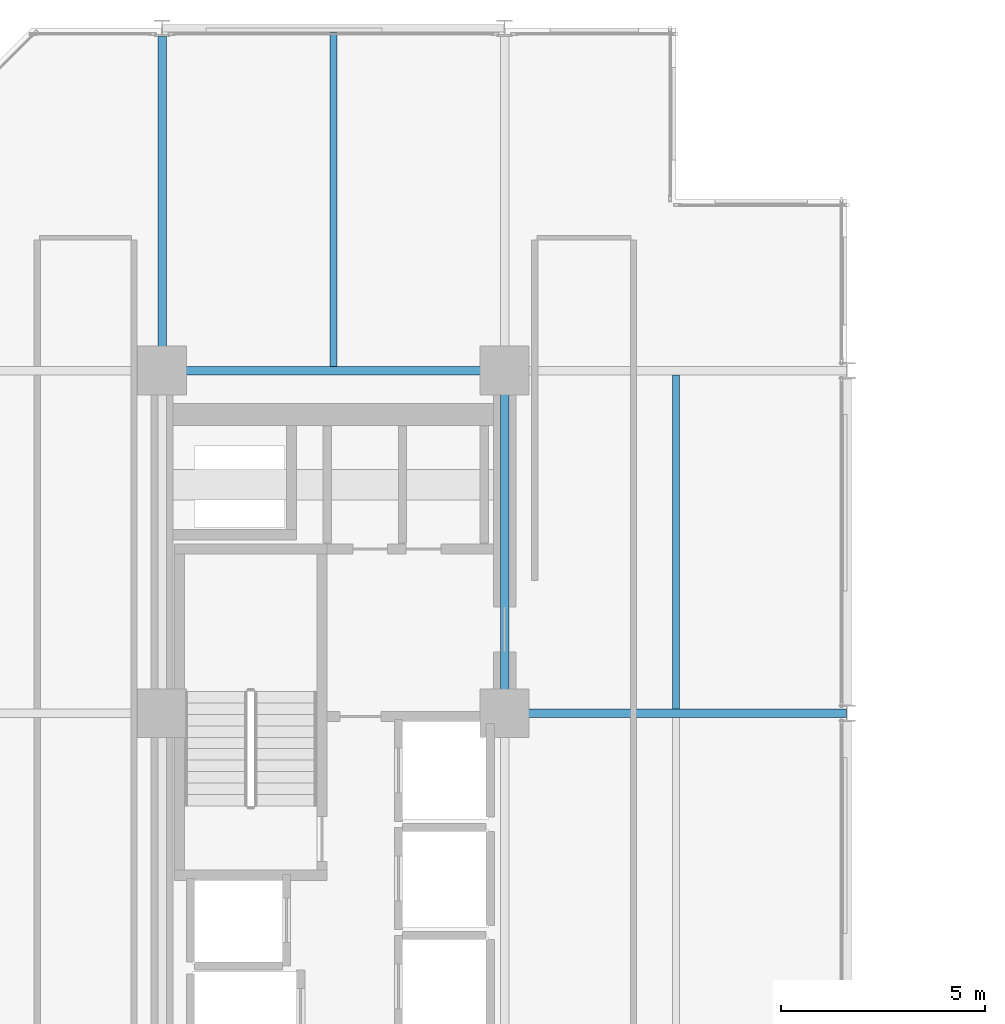
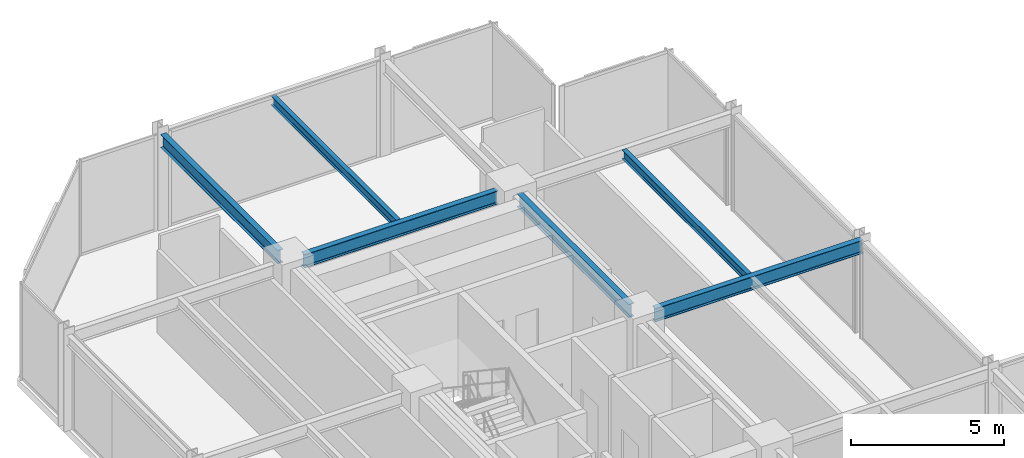
# One storey, part 26 of 38: 6 beams.
"""IFC4 building model written with IfcOpenShell, lengths in metres."""

import ifcopenshell
import ifcopenshell.guid

model = None  # the IFC model being written
_history = None  # IfcOwnerHistory: only IFC2X3 demands one
_inside = {}  # id of a spatial element -> (the spatial element, [elements in it])
_under = {}  # id of a project, library or spatial element -> (it, [spatial elements below it])
_declared = {}  # id of a project -> (the project, [libraries it declares])
_typed = {}  # id of a type object -> (the type object, [elements of that type])
_made_of = {}  # id of a material, layer set ... -> (it, [elements and type objects made of it])


def new_model(schema):
    """Start an empty IFC model of exactly this schema.

    Asked for "IFC4X3", IfcOpenShell would pick the latest addendum, in which some entities
    have other attributes; the version numbers below select the first issue.
    IFC2X3 requires an IfcOwnerHistory on every rooted entity: one is made here for all.
    """
    global model, _history
    if schema == "IFC4X3":
        model = ifcopenshell.file(schema_version=(4, 3, 0, 0))
    else:
        model = ifcopenshell.file(schema=schema)
    _inside.clear()
    _under.clear()
    _declared.clear()
    _typed.clear()
    _made_of.clear()
    _history = None
    if model.schema == "IFC2X3":
        org = make("IfcOrganization", Name="unknown")
        user = make(
            "IfcPersonAndOrganization",
            ThePerson=make("IfcPerson", FamilyName="unknown"),
            TheOrganization=org,
        )
        app = make(
            "IfcApplication",
            ApplicationDeveloper=org,
            Version="unknown",
            ApplicationFullName="unknown",
            ApplicationIdentifier="unknown",
        )
        _history = make(
            "IfcOwnerHistory",
            OwningUser=user,
            OwningApplication=app,
            ChangeAction="ADDED",
            CreationDate=0,
        )
    return model


def make(cls, **values):
    """One entity of the class cls with the attributes given. An attribute that is None is left unset."""
    return model.create_entity(
        cls, **{name: value for name, value in values.items() if value is not None}
    )


def rooted(cls, **values):
    """An entity with a GlobalId (a new one), such as an element, a storey or a relation."""
    return make(cls, GlobalId=ifcopenshell.guid.new(), OwnerHistory=_history, **values)


def si_unit(unit_type, name, prefix=None):
    """IfcSIUnit, for example si_unit("LENGTHUNIT", "METRE", prefix="MILLI")."""
    return make("IfcSIUnit", UnitType=unit_type, Prefix=prefix, Name=name)


def assignment(units):
    """IfcUnitAssignment: the units of a project."""
    return None if units is None else make("IfcUnitAssignment", Units=units)


def point(xyz):
    """IfcCartesianPoint."""
    return None if xyz is None else make("IfcCartesianPoint", Coordinates=xyz)


def direction(xyz):
    """IfcDirection."""
    return None if xyz is None else make("IfcDirection", DirectionRatios=xyz)


def frame(location, z_axis=None, x_axis=None):
    """IfcAxis2Placement3D, a coordinate frame: its origin and axes. An axis left out is left unset."""
    return make(
        "IfcAxis2Placement3D",
        Location=point(location),
        Axis=direction(z_axis),
        RefDirection=direction(x_axis),
    )


def frame_2d(location, x_axis=None):
    """IfcAxis2Placement2D, a coordinate frame in the plane: its origin and x axis."""
    return make(
        "IfcAxis2Placement2D", Location=point(location), RefDirection=direction(x_axis)
    )


def origin():
    """The frame at (0, 0, 0) with its axes left unset."""
    return frame((0.0, 0.0, 0.0))


def origin_2d():
    """The frame at (0, 0) in the plane with its x axis left unset."""
    return frame_2d((0.0, 0.0))


def place(relative_to, where):
    """IfcLocalPlacement: puts the frame where relative to a parent placement (None: the world)."""
    return make(
        "IfcLocalPlacement", PlacementRelTo=relative_to, RelativePlacement=where
    )


def context(
    kind, dimensions, precision=None, world=None, true_north=None, identifier=None
):
    """IfcGeometricRepresentationContext, for example the 3D "Model" context."""
    return make(
        "IfcGeometricRepresentationContext",
        ContextIdentifier=identifier,
        ContextType=kind,
        CoordinateSpaceDimension=dimensions,
        Precision=precision,
        WorldCoordinateSystem=world,
        TrueNorth=true_north,
    )


def subcontext(parent, identifier, kind, view, scale=None):
    """IfcGeometricRepresentationSubContext, for example "Body" below "Model"."""
    return make(
        "IfcGeometricRepresentationSubContext",
        ContextIdentifier=identifier,
        ContextType=kind,
        ParentContext=parent,
        TargetScale=scale,
        TargetView=view,
    )


def project(units=None, contexts=None):
    """IfcProject with its units and contexts."""
    return rooted(
        "IfcProject",
        Name="project",
        RepresentationContexts=contexts,
        UnitsInContext=assignment(units),
    )


def spatial(cls, under=None, at=None, **own):
    """A site, building, storey or space (cls), placed at a placement, below another one or the project."""
    s = rooted(cls, ObjectPlacement=at, **own)
    if under is not None:
        _under.setdefault(under.id(), (under, []))[1].append(s)
    return s


def profile(cls, at=None, kind="AREA", **sizes):
    """A parametric profile (cls). Its sizes go by their IFC names, for example OverallWidth=200.0."""
    return make(cls, ProfileType=kind, Position=at, **sizes)


def i_section(**sizes):
    """IfcIShapeProfileDef."""
    return profile("IfcIShapeProfileDef", **sizes)


def extrude(swept, where, along, depth):
    """IfcExtrudedAreaSolid: the profile swept, set in the frame where, extruded along a direction by depth."""
    return make(
        "IfcExtrudedAreaSolid",
        SweptArea=swept,
        Position=where,
        ExtrudedDirection=direction(along),
        Depth=depth,
    )


def shape(context_of_items, identifier, shape_type, items):
    """IfcShapeRepresentation: the items that make up one representation, for example the "Body"."""
    return make(
        "IfcShapeRepresentation",
        ContextOfItems=context_of_items,
        RepresentationIdentifier=identifier,
        RepresentationType=shape_type,
        Items=items,
    )


def material(Name=None, Category=None):
    """IfcMaterial."""
    return make("IfcMaterial", Name=Name, Category=Category)


def material_profile(
    of_material, cross_section, Name=None, Category=None, Priority=None
):
    """IfcMaterialProfile: a cross section and its material."""
    return make(
        "IfcMaterialProfile",
        Name=Name,
        Material=of_material,
        Profile=cross_section,
        Priority=Priority,
        Category=Category,
    )


def profile_set(profiles, Name=None, composite=None):
    """IfcMaterialProfileSet."""
    return make(
        "IfcMaterialProfileSet",
        Name=Name,
        MaterialProfiles=profiles,
        CompositeProfile=composite,
    )


def made_of(thing, what):
    """Note that an element or type object is made of a material, layer set ...; save() writes the relation."""
    if what is not None:
        _made_of.setdefault(what.id(), (what, []))[1].append(thing)
    return thing


def type_object(cls, material=None, **own):
    """A type object (cls), such as IfcWallType, which elements share."""
    return made_of(rooted(cls, **own), material)


def element(
    cls,
    number,
    at=None,
    inside=None,
    cuts=None,
    type_object=None,
    material=None,
    context=None,
    identifier="Body",
    shape_type=None,
    held_by="IfcProductDefinitionShape",
    body=None,
    shapes=None,
    **own,
):
    """One element of the class cls, such as IfcWall. Its Tag is "e" and its number.

    at: its placement. inside: the storey or other place that contains it. cuts: it is an
    opening in that element (IfcRelVoidsElement). A single representation is given by context,
    identifier, shape_type and body (its items); several are given by shapes. held_by: the class
    of the entity that holds the representations. save() writes the other relations.
    """
    e = rooted(cls, Tag="e%d" % number, ObjectPlacement=at, **own)
    if body is not None:
        shapes = [shape(context, identifier, shape_type, body)]
    if shapes is not None:
        e.Representation = make(held_by, Representations=shapes)
    if inside is not None:
        _inside.setdefault(inside.id(), (inside, []))[1].append(e)
    if cuts is not None:
        rooted(
            "IfcRelVoidsElement", RelatingBuildingElement=cuts, RelatedOpeningElement=e
        )
    if type_object is not None:
        _typed.setdefault(type_object.id(), (type_object, []))[1].append(e)
    return made_of(e, material)


def aggregate(whole, parts):
    """IfcRelAggregates: a whole, such as a stair, and the parts it consists of."""
    return rooted("IfcRelAggregates", RelatingObject=whole, RelatedObjects=parts)


def save(model, path):
    """Write the relations noted so far, then the file.

    IfcRelAggregates (storeys below a building ...), IfcRelContainedInSpatialStructure (elements
    in a storey), IfcRelDefinesByType, IfcRelAssociatesMaterial and IfcRelDeclares: one each for
    every whole, place, type object, material and project.
    """
    for whole, parts in _under.values():
        aggregate(whole, parts)
    for where, things in _inside.values():
        rooted(
            "IfcRelContainedInSpatialStructure",
            RelatedElements=things,
            RelatingStructure=where,
        )
    for kind, things in _typed.values():
        rooted("IfcRelDefinesByType", RelatedObjects=things, RelatingType=kind)
    for what, things in _made_of.values():
        rooted("IfcRelAssociatesMaterial", RelatedObjects=things, RelatingMaterial=what)
    for by, libraries in _declared.values():
        rooted("IfcRelDeclares", RelatingContext=by, RelatedDefinitions=libraries)
    model.write(path)


model = new_model("IFC4")

# Units and contexts
model_context = context("Model", 3, precision=1e-05, world=origin(), true_north=direction((0.0, 1.0)))
body_context = subcontext(model_context, "Body", "Model", "MODEL_VIEW")
ifc_project = project(units=[si_unit("LENGTHUNIT", "METRE"), si_unit("AREAUNIT", "SQUARE_METRE"), si_unit("VOLUMEUNIT", "CUBIC_METRE"), si_unit("PLANEANGLEUNIT", "RADIAN"), si_unit("MASSUNIT", "GRAM", prefix="KILO")], contexts=[model_context])

# Site, building, storey
site_placement = place(None, origin())
site = spatial("IfcSite", under=ifc_project, at=site_placement, CompositionType="ELEMENT")
building_placement = place(site_placement, origin())
building = spatial("IfcBuilding", under=site, at=building_placement, Name="Nerrivon Quay Data Exchange", CompositionType="ELEMENT")
storey_placement = place(building_placement, frame((0.0, 0.0, 88.5)))
storey = spatial("IfcBuildingStorey", under=building, at=storey_placement, Name="L20", CompositionType="ELEMENT", Elevation=88.5)

# Beams
ifc_material = material(Name="Steel Grade 350", Category="steel")
ifc_material_profile_1 = material_profile(ifc_material, i_section(OverallWidth=0.208984375, OverallDepth=0.532958984375, WebThickness=0.01025390625, FlangeThickness=0.015625, FilletRadius=0.013916015625, at=origin_2d()), Name="530UB92.4")
ifc_profile_set_1 = profile_set([ifc_material_profile_1], Name="Steel Grade 350")
beam_type_1 = type_object("IfcBeamType", Name="BM-G3-530UB92", PredefinedType="BEAM", material=ifc_profile_set_1)
beam_1_placement = place(storey_placement, frame((17.340087890625, 33.60009765625, 3.55859375), z_axis=(1.0, 0.0, 0.0), x_axis=(0.0, 1.0, 0.0)))
element("IfcBeam", 1, at=beam_1_placement, inside=storey, type_object=beam_type_1, Name="L20 EW Girder Y=33.6 (16.8..25.2)", PredefinedType="BEAM", context=body_context, shape_type="SweptSolid", body=[
    extrude(i_section(OverallWidth=0.208984375, OverallDepth=0.532958984375, WebThickness=0.01025390625, FlangeThickness=0.015625, FilletRadius=0.013916015625, at=origin_2d()), origin(), (0.0, 0.0, 1.0), 7.847412109375),
])
beam_2_placement = place(storey_placement, frame((8.93994140625, 42.0, 3.55859375), z_axis=(1.0, 0.0, 0.0), x_axis=(0.0, 1.0, 0.0)))
element("IfcBeam", 2, at=beam_2_placement, inside=storey, type_object=beam_type_1, Name="L20 EW Girder Y=42.0 (8.4..16.8)", PredefinedType="BEAM", context=body_context, shape_type="SweptSolid", body=[
    extrude(i_section(OverallWidth=0.208984375, OverallDepth=0.532958984375, WebThickness=0.01025390625, FlangeThickness=0.015625, FilletRadius=0.013916015625, at=origin_2d()), origin(), (0.0, 0.0, 1.0), 7.320068359375),
])
ifc_material_profile_2 = material_profile(ifc_material, i_section(OverallWidth=0.208984375, OverallDepth=0.528076171875, WebThickness=0.009521484375, FlangeThickness=0.01318359375, FilletRadius=0.013916015625, at=origin_2d()), Name="530UB82.0")
ifc_profile_set_2 = profile_set([ifc_material_profile_2], Name="Steel Grade 350")
beam_type_2 = type_object("IfcBeamType", Name="BM-G4-530UB82", PredefinedType="BEAM", material=ifc_profile_set_2)
beam_3_placement = place(storey_placement, frame((8.39990234375, 42.5400390625, 3.56103515625), z_axis=(0.0, 1.0, 0.0), x_axis=(-1.0, 0.0, 0.0)))
element("IfcBeam", 3, at=beam_3_placement, inside=storey, type_object=beam_type_2, Name="L20 NS Girder X=8.4 (42.0..50.4)", PredefinedType="BEAM", context=body_context, shape_type="SweptSolid", body=[
    extrude(i_section(OverallWidth=0.208984375, OverallDepth=0.528076171875, WebThickness=0.009521484375, FlangeThickness=0.01318359375, FilletRadius=0.013916015625, at=origin_2d()), origin(), (0.0, 0.0, 1.0), 7.659912109375),
])
beam_4_placement = place(storey_placement, frame((16.800048828125, 34.139892578125, 3.56103515625), z_axis=(0.0, 1.0, 0.0), x_axis=(-1.0, 0.0, 0.0)))
element("IfcBeam", 4, at=beam_4_placement, inside=storey, type_object=beam_type_2, Name="L20 NS Girder X=16.8 (33.6..42.0)", PredefinedType="BEAM", context=body_context, shape_type="SweptSolid", body=[
    extrude(i_section(OverallWidth=0.208984375, OverallDepth=0.528076171875, WebThickness=0.009521484375, FlangeThickness=0.01318359375, FilletRadius=0.013916015625, at=origin_2d()), origin(), (0.0, 0.0, 1.0), 7.320068359375),
])
ifc_material_profile_3 = material_profile(ifc_material, i_section(OverallWidth=0.1708984375, OverallDepth=0.35595703125, WebThickness=0.00732421875, FlangeThickness=0.011474609375, FilletRadius=0.011474609375, at=origin_2d()), Name="360UB50.7")
ifc_profile_set_3 = profile_set([ifc_material_profile_3], Name="Steel Grade 350")
beam_type_3 = type_object("IfcBeamType", Name="BM-J4-360UB51", PredefinedType="JOIST", material=ifc_profile_set_3)
beam_5_placement = place(storey_placement, frame((12.60009765625, 42.1044921875, 3.64697265625), z_axis=(0.0, 1.0, 0.0), x_axis=(-1.0, 0.0, 0.0)))
element("IfcBeam", 5, at=beam_5_placement, inside=storey, type_object=beam_type_3, Name="L20 Secondary Joist X=12.6 (42.0..50.4)", PredefinedType="JOIST", context=body_context, shape_type="SweptSolid", body=[
    extrude(i_section(OverallWidth=0.1708984375, OverallDepth=0.35595703125, WebThickness=0.00732421875, FlangeThickness=0.011474609375, FilletRadius=0.011474609375, at=origin_2d()), origin(), (0.0, 0.0, 1.0), 8.20654296875),
])
beam_6_placement = place(storey_placement, frame((21.0, 33.70458984375, 3.64697265625), z_axis=(0.0, 1.0, 0.0), x_axis=(-1.0, 0.0, 0.0)))
element("IfcBeam", 6, at=beam_6_placement, inside=storey, type_object=beam_type_3, Name="L20 Secondary Joist X=21.0 (33.6..42.0)", PredefinedType="JOIST", context=body_context, shape_type="SweptSolid", body=[
    extrude(i_section(OverallWidth=0.1708984375, OverallDepth=0.35595703125, WebThickness=0.00732421875, FlangeThickness=0.011474609375, FilletRadius=0.011474609375, at=origin_2d()), origin(), (0.0, 0.0, 1.0), 8.19091796875),
])

save(model, "model.ifc")
